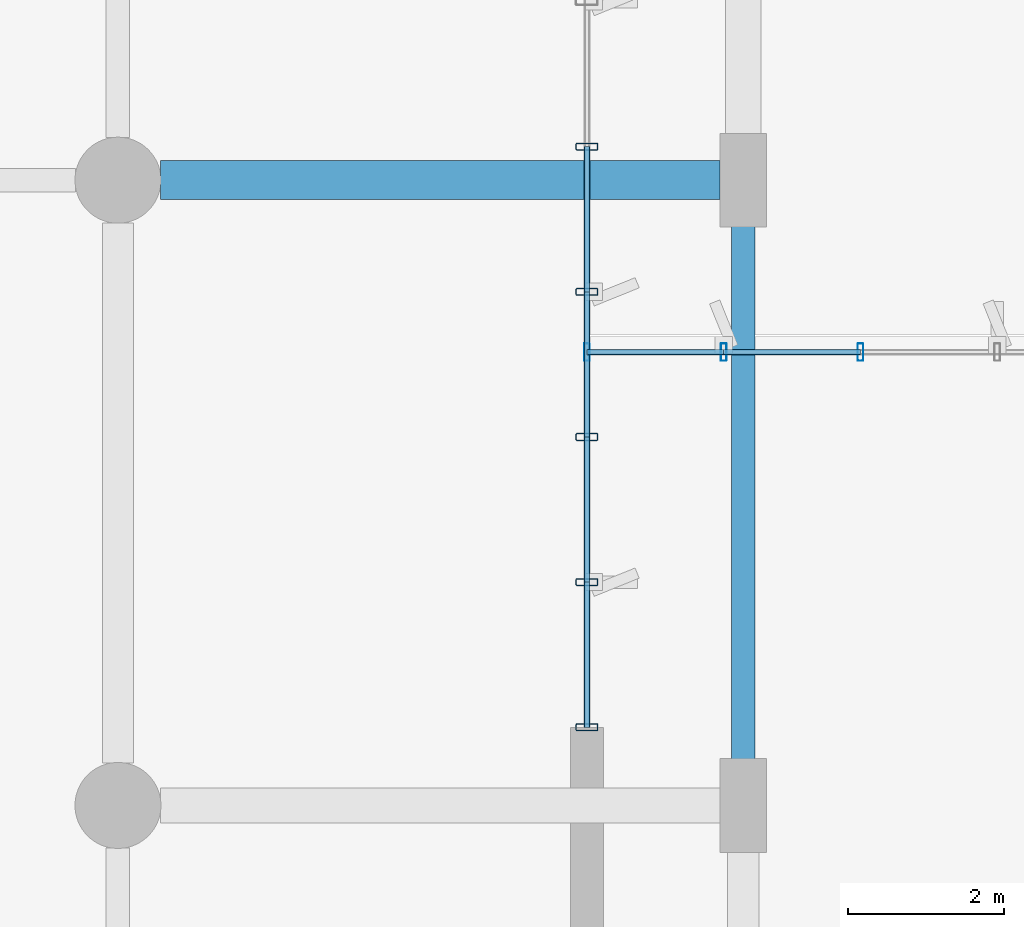
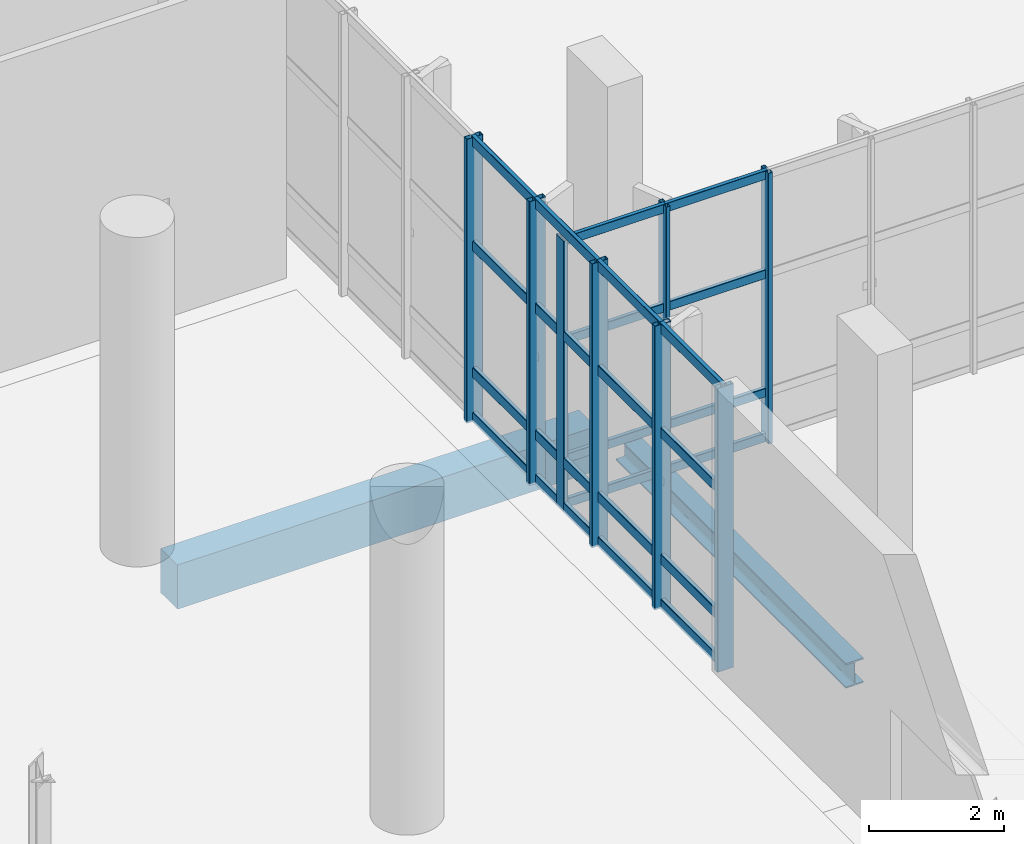
# One storey, part 92 of 163: 32 members, 2 beams, 2 elements without a shape of their own.
"""IFC4 building model written with IfcOpenShell, lengths in metres."""

from ifc_helpers import new_model, si_unit, direction, frame, origin, origin_2d, place, context, subcontext, project, spatial, rectangle, hollow_rectangle, i_section, extrude, material, layer, layer_set, material_profile, profile_set, type_object, element, aggregate, save


model = new_model("IFC4")

# Units and contexts
model_context = context("Model", 3, precision=1e-05, world=origin(), true_north=direction((0.0, 1.0)))
body_context = subcontext(model_context, "Body", "Model", "MODEL_VIEW")
ifc_project = project(units=[si_unit("LENGTHUNIT", "METRE"), si_unit("AREAUNIT", "SQUARE_METRE"), si_unit("VOLUMEUNIT", "CUBIC_METRE"), si_unit("PLANEANGLEUNIT", "RADIAN"), si_unit("MASSUNIT", "GRAM", prefix="KILO")], contexts=[model_context])

# Site, building, storey
site_placement = place(None, origin())
site = spatial("IfcSite", under=ifc_project, at=site_placement, CompositionType="ELEMENT")
building_placement = place(site_placement, origin())
building = spatial("IfcBuilding", under=site, at=building_placement, Name="Khorjan Park Terminus", CompositionType="ELEMENT")
storey_placement = place(building_placement, origin())
storey = spatial("IfcBuildingStorey", under=building, at=storey_placement, Name="L00", CompositionType="ELEMENT", Elevation=0.0)

# Beams
ifc_material_1 = material(Name="Steel S355", Category="steel")
ifc_material_profile_1 = material_profile(ifc_material_1, i_section(OverallWidth=0.3, OverallDepth=0.45, WebThickness=0.014, FlangeThickness=0.026, FilletRadius=0.027, at=origin_2d()), Name="HEB 450")
ifc_profile_set_1 = profile_set([ifc_material_profile_1], Name="Steel S355")
beam_type_1 = type_object("IfcBeamType", Name="BM-HEB450", PredefinedType="BEAM", material=ifc_profile_set_1)
beam_1_placement = place(storey_placement, frame((136.0, 60.595, -0.575), z_axis=(0.0, 1.0, 0.0), x_axis=(-1.0, 0.0, 0.0)))
element("IfcBeam", 1, at=beam_1_placement, inside=storey, type_object=beam_type_1, Name="Primary floor girder SB-B45 (L00)", PredefinedType="BEAM", context=body_context, shape_type="SweptSolid", body=[
    extrude(i_section(OverallWidth=0.3, OverallDepth=0.45, WebThickness=0.014, FlangeThickness=0.026, FilletRadius=0.027, at=origin_2d()), origin(), (0.0, 0.0, 1.0), 6.81),
])
ifc_material_2 = material(Name="Concrete C40/50", Category="concrete")
ifc_material_profile_2 = material_profile(ifc_material_2, rectangle(XDim=0.5, YDim=0.8, at=origin_2d()), Name="RC 500x800")
ifc_profile_set_2 = profile_set([ifc_material_profile_2], Name="Concrete C40/50")
beam_type_2 = type_object("IfcBeamType", Name="BM-RC500x800", PredefinedType="BEAM", material=ifc_profile_set_2)
beam_2_placement = place(storey_placement, frame((128.545, 68.0, -0.75), z_axis=(1.0, 0.0, 0.0), x_axis=(0.0, 1.0, 0.0)))
element("IfcBeam", 2, at=beam_2_placement, inside=storey, type_object=beam_type_2, Name="Primary floor girder GB-08 (L00)", PredefinedType="BEAM", context=body_context, shape_type="SweptSolid", body=[
    extrude(rectangle(XDim=0.5, YDim=0.8, at=origin_2d()), origin(), (0.0, 0.0, 1.0), 7.16),
])

# Curtain wall, members
ifc_material_3 = material(Name="Anodized Bronze Aluminium", Category="aluminium")
ifc_layer_1 = layer(ifc_material_3, 0.22)
ifc_layer_set_1 = layer_set([ifc_layer_1], Name="Anodized Bronze Aluminium")
curtain_wall_type_1 = type_object("IfcCurtainWallType", Name="CW-OPS-B", PredefinedType="NOTDEFINED", material=ifc_layer_set_1)
curtain_wall_1_placement = place(storey_placement, origin())
curtain_wall_1 = element("IfcCurtainWall", 3, at=curtain_wall_1_placement, inside=storey, type_object=curtain_wall_type_1, Name="Unitized curtain wall CW-B (CW-V5L-N-L00-1)", PredefinedType="NOTDEFINED")
ifc_material_profile_3 = material_profile(ifc_material_3, hollow_rectangle(XDim=0.075, YDim=0.225, WallThickness=0.005, InnerFilletRadius=0.005, OuterFilletRadius=0.01, at=origin_2d()), Name="ALM 75x225x5")
ifc_profile_set_3 = profile_set([ifc_material_profile_3], Name="Anodized Bronze Aluminium")
member_type_1 = type_object("IfcMemberType", Name="ML-ALM-225", PredefinedType="MULLION", material=ifc_profile_set_3)
member_1_placement = place(storey_placement, frame((137.5, 65.8, -0.035), z_axis=(0.0, 0.0, 1.0), x_axis=(-1.0, 0.0, 0.0)))
member_1 = element("IfcMember", 4, at=member_1_placement, type_object=member_type_1, Name="Curtain-wall mullion ML-22 (CW-V5L-N-L00-1-6)", PredefinedType="MULLION", context=body_context, shape_type="SweptSolid", body=[
    extrude(hollow_rectangle(XDim=0.075, YDim=0.225, WallThickness=0.005, InnerFilletRadius=0.005, OuterFilletRadius=0.01, at=origin_2d()), origin(), (0.0, 0.0, 1.0), 4.895),
])
member_2_placement = place(storey_placement, frame((135.75, 65.8, -0.035), z_axis=(0.0, 0.0, 1.0), x_axis=(-1.0, 0.0, 0.0)))
member_2 = element("IfcMember", 5, at=member_2_placement, type_object=member_type_1, Name="Curtain-wall mullion ML-22 (CW-V5L-N-L00-1-7)", PredefinedType="MULLION", context=body_context, shape_type="SweptSolid", body=[
    extrude(hollow_rectangle(XDim=0.075, YDim=0.225, WallThickness=0.005, InnerFilletRadius=0.005, OuterFilletRadius=0.01, at=origin_2d()), origin(), (0.0, 0.0, 1.0), 4.895),
])
member_3_placement = place(storey_placement, frame((134.0, 65.8, -0.035), z_axis=(0.0, 0.0, 1.0), x_axis=(-1.0, 0.0, 0.0)))
member_3 = element("IfcMember", 6, at=member_3_placement, type_object=member_type_1, Name="Curtain-wall mullion ML-22 (CW-V5L-N-L00-1-8)", PredefinedType="MULLION", context=body_context, shape_type="SweptSolid", body=[
    extrude(hollow_rectangle(XDim=0.075, YDim=0.225, WallThickness=0.005, InnerFilletRadius=0.005, OuterFilletRadius=0.01, at=origin_2d()), origin(), (0.0, 0.0, 1.0), 4.895),
])

ifc_layer_2 = layer(ifc_material_3, 0.22)
ifc_layer_set_2 = layer_set([ifc_layer_2], Name="Anodized Bronze Aluminium")
curtain_wall_type_2 = type_object("IfcCurtainWallType", Name="CW-CONC-A", PredefinedType="NOTDEFINED", material=ifc_layer_set_2)
curtain_wall_2_placement = place(storey_placement, origin())
curtain_wall_2 = element("IfcCurtainWall", 7, at=curtain_wall_2_placement, inside=storey, type_object=curtain_wall_type_2, Name="Unitized curtain wall CW-A (CW-V2-E-L00-03)", PredefinedType="NOTDEFINED")
ifc_material_profile_4 = material_profile(ifc_material_3, hollow_rectangle(XDim=0.09, YDim=0.28, WallThickness=0.006, InnerFilletRadius=0.006, OuterFilletRadius=0.012, at=origin_2d()), Name="ALM 90x280x6")
ifc_profile_set_4 = profile_set([ifc_material_profile_4], Name="Anodized Bronze Aluminium")
member_type_2 = type_object("IfcMemberType", Name="ML-ALM-280", PredefinedType="MULLION", material=ifc_profile_set_4)
member_4_placement = place(storey_placement, frame((134.0, 61.0, -0.035), z_axis=(0.0, 0.0, 1.0), x_axis=(0.0, 1.0, 0.0)))
member_4 = element("IfcMember", 8, at=member_4_placement, type_object=member_type_2, Name="Curtain-wall mullion ML-28 (CW-V2-E-L00-03-0)", PredefinedType="MULLION", context=body_context, shape_type="SweptSolid", body=[
    extrude(hollow_rectangle(XDim=0.09, YDim=0.28, WallThickness=0.006, InnerFilletRadius=0.006, OuterFilletRadius=0.012, at=origin_2d()), origin(), (0.0, 0.0, 1.0), 5.135),
])
member_5_placement = place(storey_placement, frame((134.0, 62.8571, -0.035), z_axis=(0.0, 0.0, 1.0), x_axis=(0.0, 1.0, 0.0)))
member_5 = element("IfcMember", 9, at=member_5_placement, type_object=member_type_2, Name="Curtain-wall mullion ML-28 (CW-V2-E-L00-03-1)", PredefinedType="MULLION", context=body_context, shape_type="SweptSolid", body=[
    extrude(hollow_rectangle(XDim=0.09, YDim=0.28, WallThickness=0.006, InnerFilletRadius=0.006, OuterFilletRadius=0.012, at=origin_2d()), origin(), (0.0, 0.0, 1.0), 5.135),
])
member_6_placement = place(storey_placement, frame((134.0, 64.7143, -0.035), z_axis=(0.0, 0.0, 1.0), x_axis=(0.0, 1.0, 0.0)))
member_6 = element("IfcMember", 10, at=member_6_placement, type_object=member_type_2, Name="Curtain-wall mullion ML-28 (CW-V2-E-L00-03-2)", PredefinedType="MULLION", context=body_context, shape_type="SweptSolid", body=[
    extrude(hollow_rectangle(XDim=0.09, YDim=0.28, WallThickness=0.006, InnerFilletRadius=0.006, OuterFilletRadius=0.012, at=origin_2d()), origin(), (0.0, 0.0, 1.0), 5.135),
])
member_7_placement = place(storey_placement, frame((134.0, 66.5714, -0.035), z_axis=(0.0, 0.0, 1.0), x_axis=(0.0, 1.0, 0.0)))
member_7 = element("IfcMember", 11, at=member_7_placement, type_object=member_type_2, Name="Curtain-wall mullion ML-28 (CW-V2-E-L00-03-3)", PredefinedType="MULLION", context=body_context, shape_type="SweptSolid", body=[
    extrude(hollow_rectangle(XDim=0.09, YDim=0.28, WallThickness=0.006, InnerFilletRadius=0.006, OuterFilletRadius=0.012, at=origin_2d()), origin(), (0.0, 0.0, 1.0), 5.135),
])
member_8_placement = place(storey_placement, frame((134.0, 68.4286, -0.035), z_axis=(0.0, 0.0, 1.0), x_axis=(0.0, 1.0, 0.0)))
member_8 = element("IfcMember", 12, at=member_8_placement, type_object=member_type_2, Name="Curtain-wall mullion ML-28 (CW-V2-E-L00-03-4)", PredefinedType="MULLION", context=body_context, shape_type="SweptSolid", body=[
    extrude(hollow_rectangle(XDim=0.09, YDim=0.28, WallThickness=0.006, InnerFilletRadius=0.006, OuterFilletRadius=0.012, at=origin_2d()), origin(), (0.0, 0.0, 1.0), 5.135),
])

# Member
ifc_material_profile_5 = material_profile(ifc_material_3, hollow_rectangle(XDim=0.07, YDim=0.16, WallThickness=0.004, InnerFilletRadius=0.004, OuterFilletRadius=0.008, at=origin_2d()), Name="ALT 70x160x4")
ifc_profile_set_5 = profile_set([ifc_material_profile_5], Name="Anodized Bronze Aluminium")
member_type_3 = type_object("IfcMemberType", Name="TR-ALT-160", PredefinedType="USERDEFINED", material=ifc_profile_set_5)
member_9_placement = place(storey_placement, frame((137.5, 65.8, 0.04), z_axis=(-1.0, 0.0, 0.0), x_axis=(0.0, -1.0, 0.0)))
member_9 = element("IfcMember", 13, at=member_9_placement, type_object=member_type_3, Name="Curtain-wall transom TR-16 (CW-V5L-N-L00-1-6-1)", ObjectType="TRANSOM", PredefinedType="USERDEFINED", context=body_context, shape_type="SweptSolid", body=[
    extrude(hollow_rectangle(XDim=0.07, YDim=0.16, WallThickness=0.004, InnerFilletRadius=0.004, OuterFilletRadius=0.008, at=origin_2d()), origin(), (0.0, 0.0, 1.0), 1.75),
])

member_10_placement = place(storey_placement, frame((137.5, 65.8, 0.85), z_axis=(-1.0, 0.0, 0.0), x_axis=(0.0, -1.0, 0.0)))
member_10 = element("IfcMember", 14, at=member_10_placement, type_object=member_type_3, Name="Curtain-wall transom TR-16 (CW-V5L-N-L00-1-6-2)", ObjectType="TRANSOM", PredefinedType="USERDEFINED", context=body_context, shape_type="SweptSolid", body=[
    extrude(hollow_rectangle(XDim=0.07, YDim=0.16, WallThickness=0.004, InnerFilletRadius=0.004, OuterFilletRadius=0.008, at=origin_2d()), origin(), (0.0, 0.0, 1.0), 1.75),
])

member_11_placement = place(storey_placement, frame((137.5, 65.8, 2.9915), z_axis=(-1.0, 0.0, 0.0), x_axis=(0.0, -1.0, 0.0)))
member_11 = element("IfcMember", 15, at=member_11_placement, type_object=member_type_3, Name="Curtain-wall transom TR-16 (CW-V5L-N-L00-1-6-3)", ObjectType="TRANSOM", PredefinedType="USERDEFINED", context=body_context, shape_type="SweptSolid", body=[
    extrude(hollow_rectangle(XDim=0.07, YDim=0.16, WallThickness=0.004, InnerFilletRadius=0.004, OuterFilletRadius=0.008, at=origin_2d()), origin(), (0.0, 0.0, 1.0), 1.75),
])

member_12_placement = place(storey_placement, frame((137.5, 65.8, 4.785), z_axis=(-1.0, 0.0, 0.0), x_axis=(0.0, -1.0, 0.0)))
member_12 = element("IfcMember", 16, at=member_12_placement, type_object=member_type_3, Name="Curtain-wall transom TR-16 (CW-V5L-N-L00-1-6-4)", ObjectType="TRANSOM", PredefinedType="USERDEFINED", context=body_context, shape_type="SweptSolid", body=[
    extrude(hollow_rectangle(XDim=0.07, YDim=0.16, WallThickness=0.004, InnerFilletRadius=0.004, OuterFilletRadius=0.008, at=origin_2d()), origin(), (0.0, 0.0, 1.0), 1.75),
])

member_13_placement = place(storey_placement, frame((135.75, 65.8, 0.04), z_axis=(-1.0, 0.0, 0.0), x_axis=(0.0, -1.0, 0.0)))
member_13 = element("IfcMember", 17, at=member_13_placement, type_object=member_type_3, Name="Curtain-wall transom TR-16 (CW-V5L-N-L00-1-7-1)", ObjectType="TRANSOM", PredefinedType="USERDEFINED", context=body_context, shape_type="SweptSolid", body=[
    extrude(hollow_rectangle(XDim=0.07, YDim=0.16, WallThickness=0.004, InnerFilletRadius=0.004, OuterFilletRadius=0.008, at=origin_2d()), origin(), (0.0, 0.0, 1.0), 1.75),
])

member_14_placement = place(storey_placement, frame((135.75, 65.8, 0.85), z_axis=(-1.0, 0.0, 0.0), x_axis=(0.0, -1.0, 0.0)))
member_14 = element("IfcMember", 18, at=member_14_placement, type_object=member_type_3, Name="Curtain-wall transom TR-16 (CW-V5L-N-L00-1-7-2)", ObjectType="TRANSOM", PredefinedType="USERDEFINED", context=body_context, shape_type="SweptSolid", body=[
    extrude(hollow_rectangle(XDim=0.07, YDim=0.16, WallThickness=0.004, InnerFilletRadius=0.004, OuterFilletRadius=0.008, at=origin_2d()), origin(), (0.0, 0.0, 1.0), 1.75),
])

member_15_placement = place(storey_placement, frame((135.75, 65.8, 2.9915), z_axis=(-1.0, 0.0, 0.0), x_axis=(0.0, -1.0, 0.0)))
member_15 = element("IfcMember", 19, at=member_15_placement, type_object=member_type_3, Name="Curtain-wall transom TR-16 (CW-V5L-N-L00-1-7-3)", ObjectType="TRANSOM", PredefinedType="USERDEFINED", context=body_context, shape_type="SweptSolid", body=[
    extrude(hollow_rectangle(XDim=0.07, YDim=0.16, WallThickness=0.004, InnerFilletRadius=0.004, OuterFilletRadius=0.008, at=origin_2d()), origin(), (0.0, 0.0, 1.0), 1.75),
])

member_16_placement = place(storey_placement, frame((135.75, 65.8, 4.785), z_axis=(-1.0, 0.0, 0.0), x_axis=(0.0, -1.0, 0.0)))
member_16 = element("IfcMember", 20, at=member_16_placement, type_object=member_type_3, Name="Curtain-wall transom TR-16 (CW-V5L-N-L00-1-7-4)", ObjectType="TRANSOM", PredefinedType="USERDEFINED", context=body_context, shape_type="SweptSolid", body=[
    extrude(hollow_rectangle(XDim=0.07, YDim=0.16, WallThickness=0.004, InnerFilletRadius=0.004, OuterFilletRadius=0.008, at=origin_2d()), origin(), (0.0, 0.0, 1.0), 1.75),
])

aggregate(curtain_wall_1, [member_1, member_2, member_3, member_9, member_10, member_11, member_12, member_13, member_14, member_15, member_16])

ifc_material_profile_6 = material_profile(ifc_material_3, hollow_rectangle(XDim=0.075, YDim=0.185, WallThickness=0.005, InnerFilletRadius=0.005, OuterFilletRadius=0.01, at=origin_2d()), Name="ALT 75x185x5")
ifc_profile_set_6 = profile_set([ifc_material_profile_6], Name="Anodized Bronze Aluminium")
member_type_4 = type_object("IfcMemberType", Name="TR-ALT-185", PredefinedType="USERDEFINED", material=ifc_profile_set_6)
member_17_placement = place(storey_placement, frame((134.0, 61.0, 0.04), z_axis=(0.0, 1.0, 0.0), x_axis=(-1.0, 0.0, 0.0)))
member_17 = element("IfcMember", 21, at=member_17_placement, type_object=member_type_4, Name="Curtain-wall transom TR-18 (CW-V2-E-L00-03-0-1)", ObjectType="TRANSOM", PredefinedType="USERDEFINED", context=body_context, shape_type="SweptSolid", body=[
    extrude(hollow_rectangle(XDim=0.075, YDim=0.185, WallThickness=0.005, InnerFilletRadius=0.005, OuterFilletRadius=0.01, at=origin_2d()), origin(), (0.0, 0.0, 1.0), 1.8571),
])

member_18_placement = place(storey_placement, frame((134.0, 61.0, 0.85), z_axis=(0.0, 1.0, 0.0), x_axis=(-1.0, 0.0, 0.0)))
member_18 = element("IfcMember", 22, at=member_18_placement, type_object=member_type_4, Name="Curtain-wall transom TR-18 (CW-V2-E-L00-03-0-2)", ObjectType="TRANSOM", PredefinedType="USERDEFINED", context=body_context, shape_type="SweptSolid", body=[
    extrude(hollow_rectangle(XDim=0.075, YDim=0.185, WallThickness=0.005, InnerFilletRadius=0.005, OuterFilletRadius=0.01, at=origin_2d()), origin(), (0.0, 0.0, 1.0), 1.8571),
])

member_19_placement = place(storey_placement, frame((134.0, 61.0, 3.1403), z_axis=(0.0, 1.0, 0.0), x_axis=(-1.0, 0.0, 0.0)))
member_19 = element("IfcMember", 23, at=member_19_placement, type_object=member_type_4, Name="Curtain-wall transom TR-18 (CW-V2-E-L00-03-0-3)", ObjectType="TRANSOM", PredefinedType="USERDEFINED", context=body_context, shape_type="SweptSolid", body=[
    extrude(hollow_rectangle(XDim=0.075, YDim=0.185, WallThickness=0.005, InnerFilletRadius=0.005, OuterFilletRadius=0.01, at=origin_2d()), origin(), (0.0, 0.0, 1.0), 1.8571),
])

member_20_placement = place(storey_placement, frame((134.0, 61.0, 5.025), z_axis=(0.0, 1.0, 0.0), x_axis=(-1.0, 0.0, 0.0)))
member_20 = element("IfcMember", 24, at=member_20_placement, type_object=member_type_4, Name="Curtain-wall transom TR-18 (CW-V2-E-L00-03-0-4)", ObjectType="TRANSOM", PredefinedType="USERDEFINED", context=body_context, shape_type="SweptSolid", body=[
    extrude(hollow_rectangle(XDim=0.075, YDim=0.185, WallThickness=0.005, InnerFilletRadius=0.005, OuterFilletRadius=0.01, at=origin_2d()), origin(), (0.0, 0.0, 1.0), 1.8571),
])

member_21_placement = place(storey_placement, frame((134.0, 62.8571, 0.04), z_axis=(0.0, 1.0, 0.0), x_axis=(-1.0, 0.0, 0.0)))
member_21 = element("IfcMember", 25, at=member_21_placement, type_object=member_type_4, Name="Curtain-wall transom TR-18 (CW-V2-E-L00-03-1-1)", ObjectType="TRANSOM", PredefinedType="USERDEFINED", context=body_context, shape_type="SweptSolid", body=[
    extrude(hollow_rectangle(XDim=0.075, YDim=0.185, WallThickness=0.005, InnerFilletRadius=0.005, OuterFilletRadius=0.01, at=origin_2d()), origin(), (0.0, 0.0, 1.0), 1.8572),
])

member_22_placement = place(storey_placement, frame((134.0, 62.8571, 0.85), z_axis=(0.0, 1.0, 0.0), x_axis=(-1.0, 0.0, 0.0)))
member_22 = element("IfcMember", 26, at=member_22_placement, type_object=member_type_4, Name="Curtain-wall transom TR-18 (CW-V2-E-L00-03-1-2)", ObjectType="TRANSOM", PredefinedType="USERDEFINED", context=body_context, shape_type="SweptSolid", body=[
    extrude(hollow_rectangle(XDim=0.075, YDim=0.185, WallThickness=0.005, InnerFilletRadius=0.005, OuterFilletRadius=0.01, at=origin_2d()), origin(), (0.0, 0.0, 1.0), 1.8572),
])

member_23_placement = place(storey_placement, frame((134.0, 62.8571, 3.1403), z_axis=(0.0, 1.0, 0.0), x_axis=(-1.0, 0.0, 0.0)))
member_23 = element("IfcMember", 27, at=member_23_placement, type_object=member_type_4, Name="Curtain-wall transom TR-18 (CW-V2-E-L00-03-1-3)", ObjectType="TRANSOM", PredefinedType="USERDEFINED", context=body_context, shape_type="SweptSolid", body=[
    extrude(hollow_rectangle(XDim=0.075, YDim=0.185, WallThickness=0.005, InnerFilletRadius=0.005, OuterFilletRadius=0.01, at=origin_2d()), origin(), (0.0, 0.0, 1.0), 1.8572),
])

member_24_placement = place(storey_placement, frame((134.0, 62.8571, 5.025), z_axis=(0.0, 1.0, 0.0), x_axis=(-1.0, 0.0, 0.0)))
member_24 = element("IfcMember", 28, at=member_24_placement, type_object=member_type_4, Name="Curtain-wall transom TR-18 (CW-V2-E-L00-03-1-4)", ObjectType="TRANSOM", PredefinedType="USERDEFINED", context=body_context, shape_type="SweptSolid", body=[
    extrude(hollow_rectangle(XDim=0.075, YDim=0.185, WallThickness=0.005, InnerFilletRadius=0.005, OuterFilletRadius=0.01, at=origin_2d()), origin(), (0.0, 0.0, 1.0), 1.8572),
])

member_25_placement = place(storey_placement, frame((134.0, 64.7143, 0.04), z_axis=(0.0, 1.0, 0.0), x_axis=(-1.0, 0.0, 0.0)))
member_25 = element("IfcMember", 29, at=member_25_placement, type_object=member_type_4, Name="Curtain-wall transom TR-18 (CW-V2-E-L00-03-2-1)", ObjectType="TRANSOM", PredefinedType="USERDEFINED", context=body_context, shape_type="SweptSolid", body=[
    extrude(hollow_rectangle(XDim=0.075, YDim=0.185, WallThickness=0.005, InnerFilletRadius=0.005, OuterFilletRadius=0.01, at=origin_2d()), origin(), (0.0, 0.0, 1.0), 1.8571),
])

member_26_placement = place(storey_placement, frame((134.0, 64.7143, 0.85), z_axis=(0.0, 1.0, 0.0), x_axis=(-1.0, 0.0, 0.0)))
member_26 = element("IfcMember", 30, at=member_26_placement, type_object=member_type_4, Name="Curtain-wall transom TR-18 (CW-V2-E-L00-03-2-2)", ObjectType="TRANSOM", PredefinedType="USERDEFINED", context=body_context, shape_type="SweptSolid", body=[
    extrude(hollow_rectangle(XDim=0.075, YDim=0.185, WallThickness=0.005, InnerFilletRadius=0.005, OuterFilletRadius=0.01, at=origin_2d()), origin(), (0.0, 0.0, 1.0), 1.8571),
])

member_27_placement = place(storey_placement, frame((134.0, 64.7143, 3.1403), z_axis=(0.0, 1.0, 0.0), x_axis=(-1.0, 0.0, 0.0)))
member_27 = element("IfcMember", 31, at=member_27_placement, type_object=member_type_4, Name="Curtain-wall transom TR-18 (CW-V2-E-L00-03-2-3)", ObjectType="TRANSOM", PredefinedType="USERDEFINED", context=body_context, shape_type="SweptSolid", body=[
    extrude(hollow_rectangle(XDim=0.075, YDim=0.185, WallThickness=0.005, InnerFilletRadius=0.005, OuterFilletRadius=0.01, at=origin_2d()), origin(), (0.0, 0.0, 1.0), 1.8571),
])

member_28_placement = place(storey_placement, frame((134.0, 64.7143, 5.025), z_axis=(0.0, 1.0, 0.0), x_axis=(-1.0, 0.0, 0.0)))
member_28 = element("IfcMember", 32, at=member_28_placement, type_object=member_type_4, Name="Curtain-wall transom TR-18 (CW-V2-E-L00-03-2-4)", ObjectType="TRANSOM", PredefinedType="USERDEFINED", context=body_context, shape_type="SweptSolid", body=[
    extrude(hollow_rectangle(XDim=0.075, YDim=0.185, WallThickness=0.005, InnerFilletRadius=0.005, OuterFilletRadius=0.01, at=origin_2d()), origin(), (0.0, 0.0, 1.0), 1.8571),
])

member_29_placement = place(storey_placement, frame((134.0, 66.5714, 0.04), z_axis=(0.0, 1.0, 0.0), x_axis=(-1.0, 0.0, 0.0)))
member_29 = element("IfcMember", 33, at=member_29_placement, type_object=member_type_4, Name="Curtain-wall transom TR-18 (CW-V2-E-L00-03-3-1)", ObjectType="TRANSOM", PredefinedType="USERDEFINED", context=body_context, shape_type="SweptSolid", body=[
    extrude(hollow_rectangle(XDim=0.075, YDim=0.185, WallThickness=0.005, InnerFilletRadius=0.005, OuterFilletRadius=0.01, at=origin_2d()), origin(), (0.0, 0.0, 1.0), 1.8572),
])

member_30_placement = place(storey_placement, frame((134.0, 66.5714, 0.85), z_axis=(0.0, 1.0, 0.0), x_axis=(-1.0, 0.0, 0.0)))
member_30 = element("IfcMember", 34, at=member_30_placement, type_object=member_type_4, Name="Curtain-wall transom TR-18 (CW-V2-E-L00-03-3-2)", ObjectType="TRANSOM", PredefinedType="USERDEFINED", context=body_context, shape_type="SweptSolid", body=[
    extrude(hollow_rectangle(XDim=0.075, YDim=0.185, WallThickness=0.005, InnerFilletRadius=0.005, OuterFilletRadius=0.01, at=origin_2d()), origin(), (0.0, 0.0, 1.0), 1.8572),
])

member_31_placement = place(storey_placement, frame((134.0, 66.5714, 3.1403), z_axis=(0.0, 1.0, 0.0), x_axis=(-1.0, 0.0, 0.0)))
member_31 = element("IfcMember", 35, at=member_31_placement, type_object=member_type_4, Name="Curtain-wall transom TR-18 (CW-V2-E-L00-03-3-3)", ObjectType="TRANSOM", PredefinedType="USERDEFINED", context=body_context, shape_type="SweptSolid", body=[
    extrude(hollow_rectangle(XDim=0.075, YDim=0.185, WallThickness=0.005, InnerFilletRadius=0.005, OuterFilletRadius=0.01, at=origin_2d()), origin(), (0.0, 0.0, 1.0), 1.8572),
])

member_32_placement = place(storey_placement, frame((134.0, 66.5714, 5.025), z_axis=(0.0, 1.0, 0.0), x_axis=(-1.0, 0.0, 0.0)))
member_32 = element("IfcMember", 36, at=member_32_placement, type_object=member_type_4, Name="Curtain-wall transom TR-18 (CW-V2-E-L00-03-3-4)", ObjectType="TRANSOM", PredefinedType="USERDEFINED", context=body_context, shape_type="SweptSolid", body=[
    extrude(hollow_rectangle(XDim=0.075, YDim=0.185, WallThickness=0.005, InnerFilletRadius=0.005, OuterFilletRadius=0.01, at=origin_2d()), origin(), (0.0, 0.0, 1.0), 1.8572),
])

aggregate(curtain_wall_2, [member_4, member_5, member_6, member_7, member_8, member_17, member_18, member_19, member_20, member_21, member_22, member_23, member_24, member_25, member_26, member_27, member_28, member_29, member_30, member_31, member_32])

save(model, "model.ifc")
